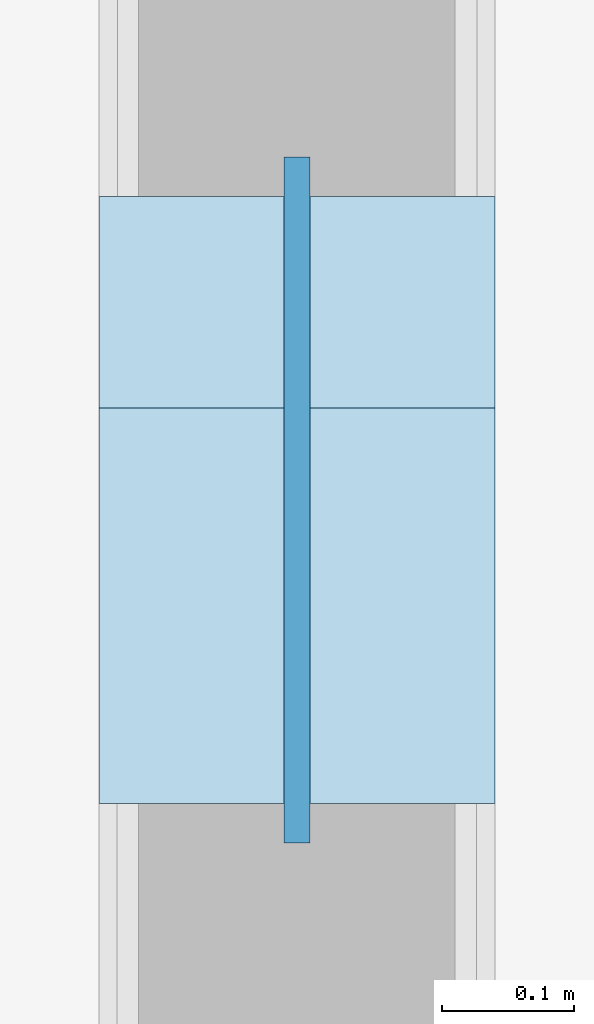
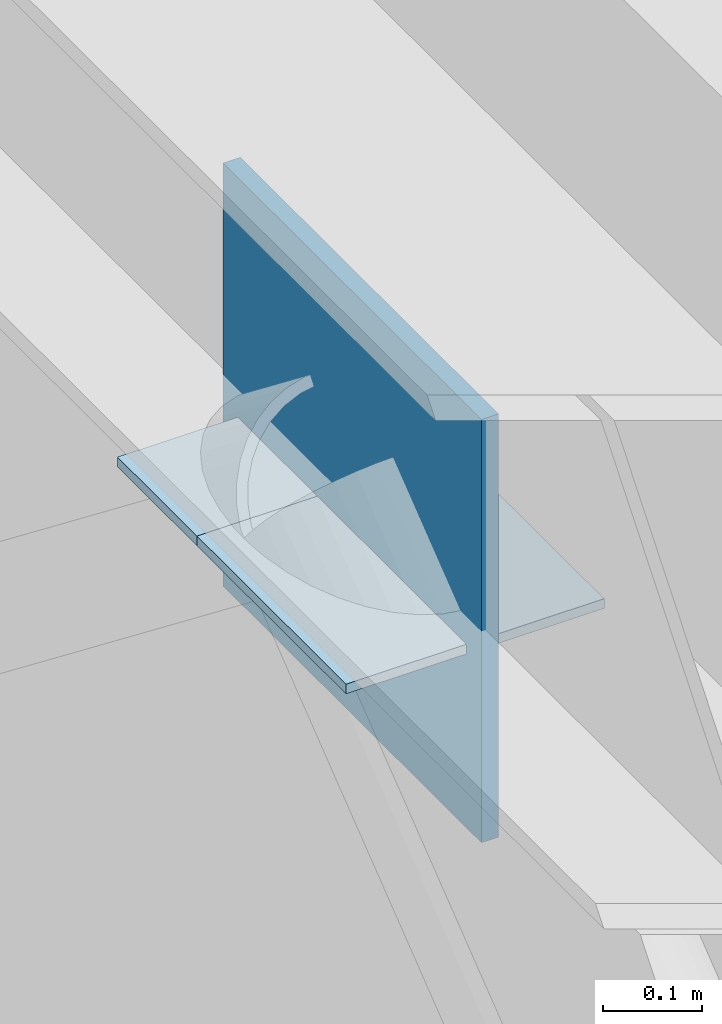
# One storey, part 115 of 143: 3 plates.
"""IFC4 building model written with IfcOpenShell, lengths in metres."""

import ifcopenshell
import ifcopenshell.guid

model = None  # the IFC model being written
_history = None  # IfcOwnerHistory: only IFC2X3 demands one
_inside = {}  # id of a spatial element -> (the spatial element, [elements in it])
_under = {}  # id of a project, library or spatial element -> (it, [spatial elements below it])
_declared = {}  # id of a project -> (the project, [libraries it declares])
_typed = {}  # id of a type object -> (the type object, [elements of that type])
_made_of = {}  # id of a material, layer set ... -> (it, [elements and type objects made of it])


def new_model(schema):
    """Start an empty IFC model of exactly this schema.

    Asked for "IFC4X3", IfcOpenShell would pick the latest addendum, in which some entities
    have other attributes; the version numbers below select the first issue.
    IFC2X3 requires an IfcOwnerHistory on every rooted entity: one is made here for all.
    """
    global model, _history
    if schema == "IFC4X3":
        model = ifcopenshell.file(schema_version=(4, 3, 0, 0))
    else:
        model = ifcopenshell.file(schema=schema)
    _inside.clear()
    _under.clear()
    _declared.clear()
    _typed.clear()
    _made_of.clear()
    _history = None
    if model.schema == "IFC2X3":
        org = make("IfcOrganization", Name="unknown")
        user = make(
            "IfcPersonAndOrganization",
            ThePerson=make("IfcPerson", FamilyName="unknown"),
            TheOrganization=org,
        )
        app = make(
            "IfcApplication",
            ApplicationDeveloper=org,
            Version="unknown",
            ApplicationFullName="unknown",
            ApplicationIdentifier="unknown",
        )
        _history = make(
            "IfcOwnerHistory",
            OwningUser=user,
            OwningApplication=app,
            ChangeAction="ADDED",
            CreationDate=0,
        )
    return model


def make(cls, **values):
    """One entity of the class cls with the attributes given. An attribute that is None is left unset."""
    return model.create_entity(
        cls, **{name: value for name, value in values.items() if value is not None}
    )


def rooted(cls, **values):
    """An entity with a GlobalId (a new one), such as an element, a storey or a relation."""
    return make(cls, GlobalId=ifcopenshell.guid.new(), OwnerHistory=_history, **values)


def si_unit(unit_type, name, prefix=None):
    """IfcSIUnit, for example si_unit("LENGTHUNIT", "METRE", prefix="MILLI")."""
    return make("IfcSIUnit", UnitType=unit_type, Prefix=prefix, Name=name)


def assignment(units):
    """IfcUnitAssignment: the units of a project."""
    return None if units is None else make("IfcUnitAssignment", Units=units)


def point(xyz):
    """IfcCartesianPoint."""
    return None if xyz is None else make("IfcCartesianPoint", Coordinates=xyz)


def direction(xyz):
    """IfcDirection."""
    return None if xyz is None else make("IfcDirection", DirectionRatios=xyz)


def frame(location, z_axis=None, x_axis=None):
    """IfcAxis2Placement3D, a coordinate frame: its origin and axes. An axis left out is left unset."""
    return make(
        "IfcAxis2Placement3D",
        Location=point(location),
        Axis=direction(z_axis),
        RefDirection=direction(x_axis),
    )


def frame_2d(location, x_axis=None):
    """IfcAxis2Placement2D, a coordinate frame in the plane: its origin and x axis."""
    return make(
        "IfcAxis2Placement2D", Location=point(location), RefDirection=direction(x_axis)
    )


def origin():
    """The frame at (0, 0, 0) with its axes left unset."""
    return frame((0.0, 0.0, 0.0))


def origin_2d():
    """The frame at (0, 0) in the plane with its x axis left unset."""
    return frame_2d((0.0, 0.0))


def place(relative_to, where):
    """IfcLocalPlacement: puts the frame where relative to a parent placement (None: the world)."""
    return make(
        "IfcLocalPlacement", PlacementRelTo=relative_to, RelativePlacement=where
    )


def context(
    kind, dimensions, precision=None, world=None, true_north=None, identifier=None
):
    """IfcGeometricRepresentationContext, for example the 3D "Model" context."""
    return make(
        "IfcGeometricRepresentationContext",
        ContextIdentifier=identifier,
        ContextType=kind,
        CoordinateSpaceDimension=dimensions,
        Precision=precision,
        WorldCoordinateSystem=world,
        TrueNorth=true_north,
    )


def subcontext(parent, identifier, kind, view, scale=None):
    """IfcGeometricRepresentationSubContext, for example "Body" below "Model"."""
    return make(
        "IfcGeometricRepresentationSubContext",
        ContextIdentifier=identifier,
        ContextType=kind,
        ParentContext=parent,
        TargetScale=scale,
        TargetView=view,
    )


def project(units=None, contexts=None):
    """IfcProject with its units and contexts."""
    return rooted(
        "IfcProject",
        Name="project",
        RepresentationContexts=contexts,
        UnitsInContext=assignment(units),
    )


def spatial(cls, under=None, at=None, **own):
    """A site, building, storey or space (cls), placed at a placement, below another one or the project."""
    s = rooted(cls, ObjectPlacement=at, **own)
    if under is not None:
        _under.setdefault(under.id(), (under, []))[1].append(s)
    return s


def profile(cls, at=None, kind="AREA", **sizes):
    """A parametric profile (cls). Its sizes go by their IFC names, for example OverallWidth=200.0."""
    return make(cls, ProfileType=kind, Position=at, **sizes)


def rectangle(**sizes):
    """IfcRectangleProfileDef."""
    return profile("IfcRectangleProfileDef", **sizes)


def extrude(swept, where, along, depth):
    """IfcExtrudedAreaSolid: the profile swept, set in the frame where, extruded along a direction by depth."""
    return make(
        "IfcExtrudedAreaSolid",
        SweptArea=swept,
        Position=where,
        ExtrudedDirection=direction(along),
        Depth=depth,
    )


def shape(context_of_items, identifier, shape_type, items):
    """IfcShapeRepresentation: the items that make up one representation, for example the "Body"."""
    return make(
        "IfcShapeRepresentation",
        ContextOfItems=context_of_items,
        RepresentationIdentifier=identifier,
        RepresentationType=shape_type,
        Items=items,
    )


def material(Name=None, Category=None):
    """IfcMaterial."""
    return make("IfcMaterial", Name=Name, Category=Category)


def layer(
    of_material, thickness, ventilated=None, Name=None, Category=None, Priority=None
):
    """IfcMaterialLayer: one layer of a wall or slab, of a material (None: an air gap)."""
    return make(
        "IfcMaterialLayer",
        Material=of_material,
        LayerThickness=thickness,
        IsVentilated=ventilated,
        Name=Name,
        Category=Category,
        Priority=Priority,
    )


def layer_set(layers, Name=None):
    """IfcMaterialLayerSet."""
    return make("IfcMaterialLayerSet", MaterialLayers=layers, LayerSetName=Name)


def made_of(thing, what):
    """Note that an element or type object is made of a material, layer set ...; save() writes the relation."""
    if what is not None:
        _made_of.setdefault(what.id(), (what, []))[1].append(thing)
    return thing


def type_object(cls, material=None, **own):
    """A type object (cls), such as IfcWallType, which elements share."""
    return made_of(rooted(cls, **own), material)


def element(
    cls,
    number,
    at=None,
    inside=None,
    cuts=None,
    type_object=None,
    material=None,
    context=None,
    identifier="Body",
    shape_type=None,
    held_by="IfcProductDefinitionShape",
    body=None,
    shapes=None,
    **own,
):
    """One element of the class cls, such as IfcWall. Its Tag is "e" and its number.

    at: its placement. inside: the storey or other place that contains it. cuts: it is an
    opening in that element (IfcRelVoidsElement). A single representation is given by context,
    identifier, shape_type and body (its items); several are given by shapes. held_by: the class
    of the entity that holds the representations. save() writes the other relations.
    """
    e = rooted(cls, Tag="e%d" % number, ObjectPlacement=at, **own)
    if body is not None:
        shapes = [shape(context, identifier, shape_type, body)]
    if shapes is not None:
        e.Representation = make(held_by, Representations=shapes)
    if inside is not None:
        _inside.setdefault(inside.id(), (inside, []))[1].append(e)
    if cuts is not None:
        rooted(
            "IfcRelVoidsElement", RelatingBuildingElement=cuts, RelatedOpeningElement=e
        )
    if type_object is not None:
        _typed.setdefault(type_object.id(), (type_object, []))[1].append(e)
    return made_of(e, material)


def aggregate(whole, parts):
    """IfcRelAggregates: a whole, such as a stair, and the parts it consists of."""
    return rooted("IfcRelAggregates", RelatingObject=whole, RelatedObjects=parts)


def save(model, path):
    """Write the relations noted so far, then the file.

    IfcRelAggregates (storeys below a building ...), IfcRelContainedInSpatialStructure (elements
    in a storey), IfcRelDefinesByType, IfcRelAssociatesMaterial and IfcRelDeclares: one each for
    every whole, place, type object, material and project.
    """
    for whole, parts in _under.values():
        aggregate(whole, parts)
    for where, things in _inside.values():
        rooted(
            "IfcRelContainedInSpatialStructure",
            RelatedElements=things,
            RelatingStructure=where,
        )
    for kind, things in _typed.values():
        rooted("IfcRelDefinesByType", RelatedObjects=things, RelatingType=kind)
    for what, things in _made_of.values():
        rooted("IfcRelAssociatesMaterial", RelatedObjects=things, RelatingMaterial=what)
    for by, libraries in _declared.values():
        rooted("IfcRelDeclares", RelatingContext=by, RelatedDefinitions=libraries)
    model.write(path)


model = new_model("IFC4")

# Units and contexts
model_context = context("Model", 3, precision=1e-05, world=origin(), true_north=direction((0.0, 1.0)))
body_context = subcontext(model_context, "Body", "Model", "MODEL_VIEW")
ifc_project = project(units=[si_unit("LENGTHUNIT", "METRE"), si_unit("AREAUNIT", "SQUARE_METRE"), si_unit("VOLUMEUNIT", "CUBIC_METRE"), si_unit("PLANEANGLEUNIT", "RADIAN"), si_unit("MASSUNIT", "GRAM", prefix="KILO")], contexts=[model_context])

# Site, building, storey
site_placement = place(None, origin())
site = spatial("IfcSite", under=ifc_project, at=site_placement, CompositionType="ELEMENT")
building_placement = place(site_placement, origin())
building = spatial("IfcBuilding", under=site, at=building_placement, Name="Montelvaro Courts of Justice", CompositionType="ELEMENT")
storey_placement = place(building_placement, origin())
storey = spatial("IfcBuildingStorey", under=building, at=storey_placement, Name="L00", CompositionType="ELEMENT", Elevation=0.0)

# Plates
ifc_material = material(Name="Steel S355", Category="steel")
ifc_layer_1 = layer(ifc_material, 0.011962890625)
ifc_layer_set_1 = layer_set([ifc_layer_1], Name="Steel S355")
plate_type_1 = type_object("IfcPlateType", Name="EndCapPlate_12", PredefinedType="USERDEFINED", material=ifc_layer_set_1)
for number, where, z_axis, x_axis, name in (
    (1, (117.0, 59.919921875, 4.65380859375), (0.0, 0.0, 1.0), (1.0, 0.0, 0.0), "Brace End Cap Plate CP-01 CBF4-L00-1B"),
    (2, (117.0, 60.080078125, 4.65380859375), (0.0, 0.0, 1.0), (1.0, 0.0, 0.0), "Brace End Cap Plate CP-01 CBF4-L00-2B"),
):
    element("IfcPlate", number, at=place(storey_placement, frame(where, z_axis=z_axis, x_axis=x_axis)), inside=storey, type_object=plate_type_1, Name=name, ObjectType="GUSSET PLATE", PredefinedType="USERDEFINED", context=body_context, shape_type="SweptSolid", body=[
        extrude(rectangle(XDim=0.300048828125, YDim=0.300048828125, at=origin_2d()), origin(), (0.0, 0.0, 1.0), 0.011962890625),
    ])
ifc_layer_2 = layer(ifc_material, 0.02001953125)
ifc_layer_set_2 = layer_set([ifc_layer_2], Name="Steel S355")
plate_type_2 = type_object("IfcPlateType", Name="GussetPlate_20", PredefinedType="USERDEFINED", material=ifc_layer_set_2)
plate_placement = place(storey_placement, frame((117.0, 60.0, 4.43994140625), z_axis=(0.0, 0.0, 1.0), x_axis=(1.0, 0.0, 0.0)))
element("IfcPlate", 3, at=plate_placement, inside=storey, type_object=plate_type_2, Name="Chevron Brace Gusset Plate GP-01 CBF4-L00", ObjectType="GUSSET PLATE", PredefinedType="USERDEFINED", context=body_context, shape_type="SweptSolid", body=[
    extrude(rectangle(XDim=0.02001953125, YDim=0.52001953125, at=origin_2d()), origin(), (0.0, 0.0, 1.0), 0.52001953125),
])

save(model, "model.ifc")
